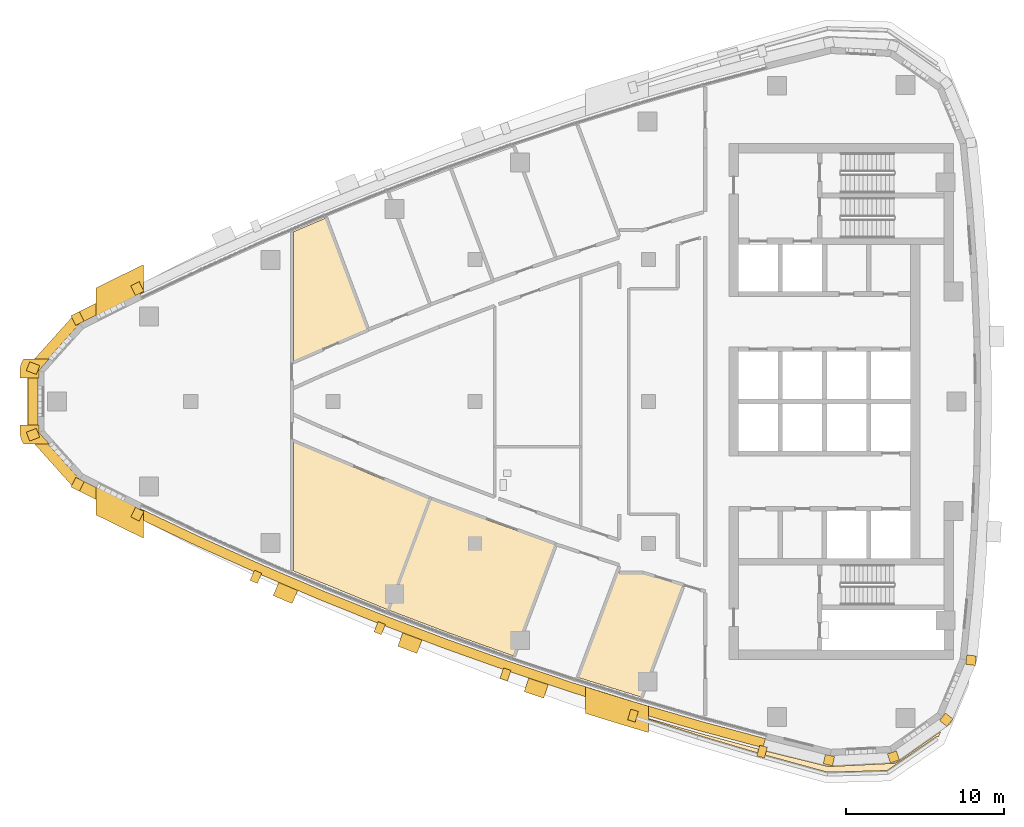
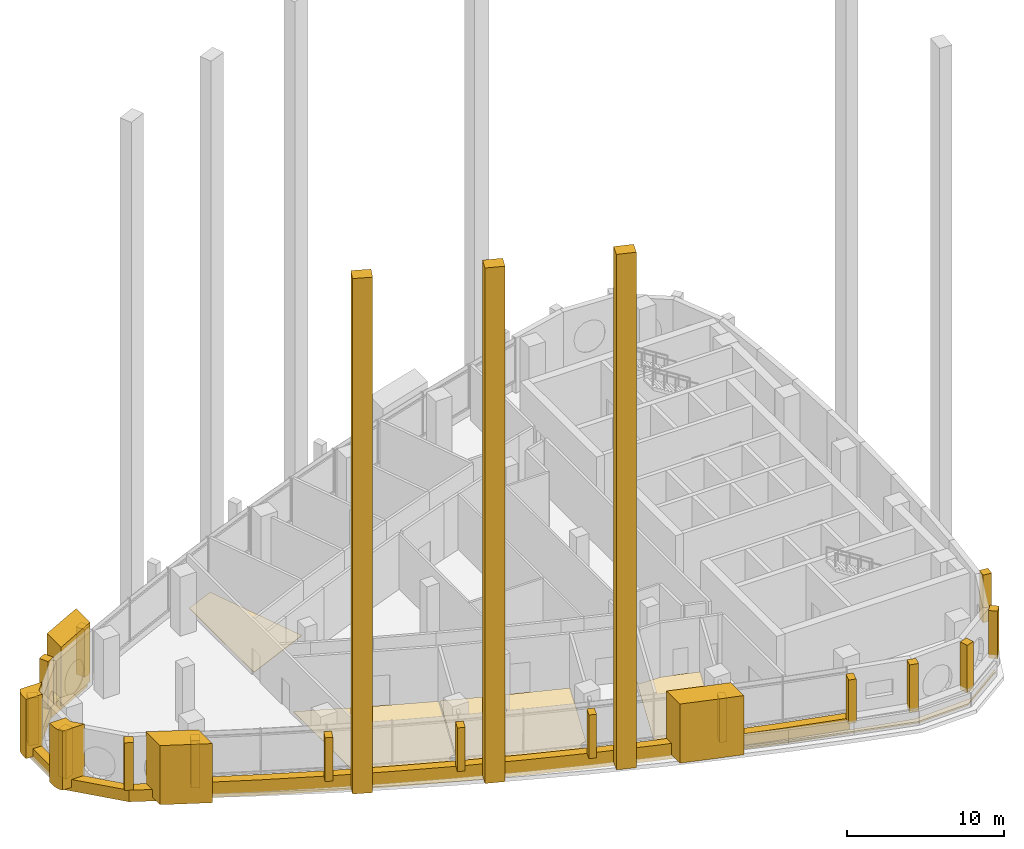
# One storey, part 11 of 15: 30 coverings.
"""IFC4 building model written with IfcOpenShell, lengths in metres."""

from ifc_helpers import new_model, si_unit, direction, frame, frame_2d, origin, place, context, subcontext, project, spatial, polyline, rectangle, outline, extrude, material, layer, layer_set, type_object, element, save


model = new_model("IFC4")

# Units and contexts
model_context = context("Model", 3, precision=1e-05, world=origin(), true_north=direction((0.0, 1.0)))
body_context = subcontext(model_context, "Body", "Model", "MODEL_VIEW")
ifc_project = project(units=[si_unit("LENGTHUNIT", "METRE"), si_unit("AREAUNIT", "SQUARE_METRE"), si_unit("VOLUMEUNIT", "CUBIC_METRE"), si_unit("PLANEANGLEUNIT", "RADIAN"), si_unit("MASSUNIT", "GRAM", prefix="KILO")], contexts=[model_context])

# Site, building, storey
site_placement = place(None, origin())
site = spatial("IfcSite", under=ifc_project, at=site_placement, CompositionType="ELEMENT")
building_placement = place(site_placement, origin())
building = spatial("IfcBuilding", under=site, at=building_placement, Name="Ostrand Prow Hotel Tower", CompositionType="ELEMENT")
storey_placement = place(building_placement, frame((0.0, 0.0, 216.199951171875)))
storey = spatial("IfcBuildingStorey", under=building, at=storey_placement, Name="L54", CompositionType="ELEMENT", Elevation=216.199951171875)

# Coverings
ifc_material_1 = material(Name="Bronze anodised aluminium cladding", Category="aluminium")
ifc_layer_1 = layer(ifc_material_1, 0.60009765625)
ifc_layer_set_1 = layer_set([ifc_layer_1], Name="Bronze anodised aluminium cladding")
covering_type_1 = type_object("IfcCoveringType", Name="Bronze prow band 899x600", PredefinedType="CLADDING", material=ifc_layer_set_1)
covering_1_placement = place(storey_placement, frame((0.0, 0.0, -0.300048828125)))
element("IfcCovering", 1, at=covering_1_placement, inside=storey, type_object=covering_type_1, Name="Bronze prow band", PredefinedType="CLADDING", context=body_context, shape_type="SweptSolid", body=[
    extrude(outline(polyline([(12.464111328125, 7.451904296875), (8.668212890625, 5.55517578125), (5.685302734375, 2.232666015625), (5.685302734375, -2.232666015625), (8.668212890625, -5.55517578125), (12.464111328125, -7.451904296875), (12.76171875, -6.840576171875), (8.97802734375, -4.949951171875), (6.3203125, -1.9892578125), (6.3203125, 1.9892578125), (8.97802734375, 4.949951171875), (12.76171875, 6.840576171875), (12.464111328125, 7.451904296875)])), origin(), (0.0, 0.0, 1.0), 0.900146484375),
])
ifc_material_2 = material(Name="Bronze anodised aluminium cladding", Category="aluminium")
ifc_layer_2 = layer(ifc_material_2, 0.60009765625)
ifc_layer_set_2 = layer_set([ifc_layer_2], Name="Bronze anodised aluminium cladding")
covering_type_2 = type_object("IfcCoveringType", Name="Bronze spandrel band 1200x600", PredefinedType="CLADDING", material=ifc_layer_set_2)
covering_2_placement = place(storey_placement, frame((0.0, 0.0, -0.300048828125)))
element("IfcCovering", 2, at=covering_2_placement, inside=storey, type_object=covering_type_2, Name="Spandrel band S1", PredefinedType="CLADDING", context=body_context, shape_type="SweptSolid", body=[
    extrude(outline(polyline([(12.526123046875, -7.324462890625), (16.35693359375, -9.14306640625), (20.2236328125, -10.88427734375), (24.12451171875, -12.547119140625), (28.058349609375, -14.131103515625), (32.02294921875, -15.635498046875), (36.017333984375, -17.059814453125), (40.039306640625, -18.403564453125), (44.087890625, -19.665771484375), (48.16064453125, -20.846435546875), (52.256591796875, -21.944580078125), (52.40625, -21.363525390625), (48.322021484375, -20.268310546875), (44.260498046875, -19.09130859375), (40.223876953125, -17.83251953125), (36.213134765625, -16.49267578125), (32.230224609375, -15.072509765625), (28.27685546875, -13.572265625), (24.354248046875, -11.992919921875), (20.464599609375, -10.334716796875), (16.60888671875, -8.598388671875), (12.788818359375, -6.784912109375), (12.526123046875, -7.324462890625)])), origin(), (0.0, 0.0, 1.0), 1.2001953125),
])
ifc_material_3 = material(Name="Limestone cladding", Category="masonry")
ifc_layer_3 = layer(ifc_material_3, 5.0)
ifc_layer_set_3 = layer_set([ifc_layer_3], Name="Limestone cladding")
covering_type_3 = type_object("IfcCoveringType", Name="Portal jamb pilaster limestone", PredefinedType="CLADDING", material=ifc_layer_set_3)
covering_3_placement = place(storey_placement, origin())
element("IfcCovering", 3, at=covering_3_placement, inside=storey, type_object=covering_type_3, Name="Portal jamb SA L54", PredefinedType="CLADDING", context=body_context, shape_type="SweptSolid", body=[
    extrude(outline(polyline([(10.0, -5.40087890625), (10.0, -7.19189453125), (11.0, -7.689453125), (12.0, -8.180419921875), (13.0, -8.664794921875), (13.0, -6.8876953125), (12.0, -6.398681640625), (11.0, -5.903076171875), (10.0, -5.40087890625)])), origin(), (0.0, 0.0, 1.0), 4.60009765625),
])
covering_4_placement = place(storey_placement, origin())
element("IfcCovering", 4, at=covering_4_placement, inside=storey, type_object=covering_type_3, Name="Portal jamb SB L54", PredefinedType="CLADDING", context=body_context, shape_type="SweptSolid", body=[
    extrude(outline(polyline([(41.0, -18.08154296875), (41.0, -19.760009765625), (42.0, -20.0732421875), (43.0, -20.381103515625), (44.0, -20.68359375), (45.0, -20.980712890625), (45.0, -19.312255859375), (44.0, -19.0126953125), (43.0, -18.707763671875), (42.0, -18.3974609375), (41.0, -18.08154296875)])), origin(), (0.0, 0.0, 1.0), 4.60009765625),
])
covering_5_placement = place(storey_placement, origin())
element("IfcCovering", 5, at=covering_5_placement, inside=storey, type_object=covering_type_3, Name="Portal jamb NA L54", PredefinedType="CLADDING", context=body_context, shape_type="SweptSolid", body=[
    extrude(outline(polyline([(10.0, 5.40087890625), (11.0, 5.903076171875), (12.0, 6.398681640625), (13.0, 6.8876953125), (13.0, 8.664794921875), (12.0, 8.180419921875), (11.0, 7.689453125), (10.0, 7.19189453125), (10.0, 5.40087890625)])), origin(), (0.0, 0.0, 1.0), 4.60009765625),
])
ifc_material_4 = material(Name="Limestone cladding", Category="masonry")
ifc_layer_4 = layer(ifc_material_4, 1.300048828125)
ifc_layer_set_4 = layer_set([ifc_layer_4], Name="Limestone cladding")
covering_type_4 = type_object("IfcCoveringType", Name="Precast stone fin 1300x1500", PredefinedType="CLADDING", material=ifc_layer_set_4)
covering_6_placement = place(storey_placement, frame((22.169921875, -11.7255859375, 0.0), z_axis=(0.0, 0.0, 1.0), x_axis=(-0.392248966739, -0.919859091433, 0.0)))
element("IfcCovering", 6, at=covering_6_placement, inside=storey, type_object=covering_type_4, Name="Stone fin S zone 5 3", PredefinedType="CLADDING", context=body_context, shape_type="SweptSolid", body=[
    extrude(rectangle(XDim=0.89990234375, YDim=1.300048828125, at=frame_2d((0.449951171875, 0.0))), origin(), (0.0, 0.0, 1.0), 40.10009765625),
])
for number, where, z_axis, x_axis, name in (
    (7, (30.036865234375, -14.893310546875, 0.0), (0.0, 0.0, 1.0), (-0.354776879431, -0.934950996481, 0.0), "Stone fin S zone 5 5"),
    (8, (38.02490234375, -17.74169921875, 0.0), (0.0, 0.0, 1.0), (-0.316797293195, -0.948493265671, 0.0), "Stone fin S zone 5 7"),
):
    element("IfcCovering", number, at=place(storey_placement, frame(where, z_axis=z_axis, x_axis=x_axis)), inside=storey, type_object=covering_type_4, Name=name, PredefinedType="CLADDING", context=body_context, shape_type="SweptSolid", body=[
        extrude(rectangle(XDim=0.900146484375, YDim=1.300048828125, at=frame_2d((0.4501953125, 0.0))), origin(), (0.0, 0.0, 1.0), 40.10009765625),
    ])
ifc_material_5 = material(Name="Limestone cladding", Category="masonry")
ifc_layer_5 = layer(ifc_material_5, 0.5)
ifc_layer_set_5 = layer_set([ifc_layer_5], Name="Limestone cladding")
covering_type_5 = type_object("IfcCoveringType", Name="Precast stone fin 500x600", PredefinedType="CLADDING", material=ifc_layer_set_5)
for number, where, z_axis, x_axis, name in (
    (9, (20.263916015625, -10.79248046875, 0.900146484375), (0.0, 0.0, 1.0), (-0.40144082023, -0.915884964312, 0.0), "Stone fin S 3"),
    (10, (28.0947265625, -14.0380859375, 0.900146484375), (0.0, 0.0, 1.0), (-0.364465099475, -0.931217048418, 0.0), "Stone fin S 5"),
    (11, (36.0498046875, -16.96533203125, 0.900146484375), (0.0, 0.0, 1.0), (-0.32646359768, -0.945209775335, 0.0), "Stone fin S 7"),
):
    element("IfcCovering", number, at=place(storey_placement, frame(where, z_axis=z_axis, x_axis=x_axis)), inside=storey, type_object=covering_type_5, Name=name, PredefinedType="CLADDING", context=body_context, shape_type="SweptSolid", body=[
        extrude(rectangle(XDim=0.699951171875, YDim=0.5, at=frame_2d((0.35009765625, 0.0))), origin(), (0.0, 0.0, 1.0), 3.39990234375),
    ])
covering_7_placement = place(storey_placement, frame((44.11669921875, -19.570068359375, 0.900146484375), z_axis=(0.0, 0.0, 1.0), x_axis=(-0.288371415505, -0.95751862996, 0.0)))
element("IfcCovering", 12, at=covering_7_placement, inside=storey, type_object=covering_type_5, Name="Stone fin S 9", PredefinedType="CLADDING", context=body_context, shape_type="SweptSolid", body=[
    extrude(rectangle(XDim=0.7001953125, YDim=0.5, at=frame_2d((0.35009765625, 0.0))), origin(), (0.0, 0.0, 1.0), 3.39990234375),
])
covering_8_placement = place(storey_placement, frame((52.281494140625, -21.847900390625, 0.900146484375), z_axis=(0.0, 0.0, 1.0), x_axis=(-0.249097137298, -0.968478505797, 0.0)))
element("IfcCovering", 13, at=covering_8_placement, inside=storey, type_object=covering_type_5, Name="Stone fin S 11", PredefinedType="CLADDING", context=body_context, shape_type="SweptSolid", body=[
    extrude(rectangle(XDim=0.69970703125, YDim=0.5, at=frame_2d((0.349853515625, 0.0))), origin(), (0.0, 0.0, 1.0), 3.39990234375),
])
ifc_material_6 = material(Name="Limestone cladding", Category="masonry")
ifc_layer_6 = layer(ifc_material_6, 0.60009765625)
ifc_layer_set_6 = layer_set([ifc_layer_6], Name="Limestone cladding")
covering_type_6 = type_object("IfcCoveringType", Name="Precast stone prow rib 600x600", PredefinedType="CLADDING", material=ifc_layer_set_6)
for number, where, z_axis, x_axis, name in (
    (14, (12.76171875, 6.840576171875, 0.60009765625), (0.0, 0.0, 1.0), (-0.437708972644, 0.899116708368, 0.0), "Stone prow rib 1"),
    (15, (8.97802734375, 4.949951171875, 0.60009765625), (0.0, 0.0, 1.0), (-0.455667721738, 0.890149946563, 0.0), "Stone prow rib 2"),
):
    element("IfcCovering", number, at=place(storey_placement, frame(where, z_axis=z_axis, x_axis=x_axis)), inside=storey, type_object=covering_type_6, Name=name, PredefinedType="CLADDING", context=body_context, shape_type="SweptSolid", body=[
        extrude(rectangle(XDim=0.679931640625, YDim=0.60009765625, at=frame_2d((0.33984375, 0.0))), origin(), (0.0, 0.0, 1.0), 3.699951171875),
    ])
for number, where, z_axis, x_axis, name in (
    (16, (6.3203125, 1.9892578125, 0.60009765625), (0.0, 0.0, 1.0), (-0.9337521164, 0.357920361419, 0.0), "Stone prow rib 3"),
    (17, (6.3203125, -1.9892578125, 0.60009765625), (0.0, 0.0, 1.0), (-0.9337521164, -0.357920361419, 0.0), "Stone prow rib 4"),
):
    element("IfcCovering", number, at=place(storey_placement, frame(where, z_axis=z_axis, x_axis=x_axis)), inside=storey, type_object=covering_type_6, Name=name, PredefinedType="CLADDING", context=body_context, shape_type="SweptSolid", body=[
        extrude(rectangle(XDim=0.68017578125, YDim=0.60009765625, at=frame_2d((0.340087890625, 0.0))), origin(), (0.0, 0.0, 1.0), 3.699951171875),
    ])
for number, where, z_axis, x_axis, name in (
    (18, (8.97802734375, -4.949951171875, 0.60009765625), (0.0, 0.0, 1.0), (-0.455667721738, -0.890149946563, 0.0), "Stone prow rib 5"),
    (19, (12.76171875, -6.840576171875, 0.60009765625), (0.0, 0.0, 1.0), (-0.437708972644, -0.899116708368, 0.0), "Stone prow rib 6"),
):
    element("IfcCovering", number, at=place(storey_placement, frame(where, z_axis=z_axis, x_axis=x_axis)), inside=storey, type_object=covering_type_6, Name=name, PredefinedType="CLADDING", context=body_context, shape_type="SweptSolid", body=[
        extrude(rectangle(XDim=0.679931640625, YDim=0.60009765625, at=frame_2d((0.33984375, 0.0))), origin(), (0.0, 0.0, 1.0), 3.699951171875),
    ])
for number, where, z_axis, x_axis, name in (
    (20, (56.49755859375, -22.436279296875, 0.60009765625), (0.0, 0.0, 1.0), (-0.229878322855, -0.973219377469, 0.0), "Stone corner rib 2a"),
    (21, (60.417236328125, -22.240966796875, 0.60009765625), (0.0, 0.0, 1.0), (0.325489086777, -0.945545797087, 0.0), "Stone corner rib 3a"),
    (22, (63.62744140625, -19.98291015625, 0.60009765625), (0.0, 0.0, 1.0), (0.779994736518, -0.625786074473, 0.0), "Stone corner rib 4a"),
    (23, (65.13623046875, -16.35986328125, 0.60009765625), (0.0, 0.0, 1.0), (0.993628058569, -0.112708833834, 0.0), "Stone corner rib 4b"),
):
    element("IfcCovering", number, at=place(storey_placement, frame(where, z_axis=z_axis, x_axis=x_axis)), inside=storey, type_object=covering_type_6, Name=name, PredefinedType="CLADDING", context=body_context, shape_type="SweptSolid", body=[
        extrude(rectangle(XDim=0.60009765625, YDim=0.60009765625, at=frame_2d((0.300048828125, 0.0))), origin(), (0.0, 0.0, 1.0), 3.699951171875),
    ])
ifc_material_7 = material(Name="Limestone cladding", Category="masonry")
ifc_layer_7 = layer(ifc_material_7, 3.0)
ifc_layer_set_7 = layer_set([ifc_layer_7], Name="Limestone cladding")
covering_type_7 = type_object("IfcCoveringType", Name="Prow nose pier limestone", PredefinedType="CLADDING", material=ifc_layer_set_7)
covering_9_placement = place(storey_placement, origin())
element("IfcCovering", 24, at=covering_9_placement, inside=storey, type_object=covering_type_7, Name="Prow spine fin N L54", PredefinedType="CLADDING", context=body_context, shape_type="SweptSolid", body=[
    extrude(outline(polyline([(5.177734375, 1.96728515625), (5.177734375, 1.5), (6.377685546875, 1.5), (6.377685546875, 1.96728515625), (7.03564453125, 2.699951171875), (5.42919921875, 2.699951171875), (5.406005859375, 2.67138671875), (5.337890625, 2.566162109375), (5.28125, 2.454345703125), (5.236328125, 2.33740234375), (5.203857421875, 2.21630859375), (5.184326171875, 2.09228515625), (5.177734375, 1.96728515625)])), origin(), (0.0, 0.0, 1.0), 4.60009765625),
])
covering_10_placement = place(storey_placement, origin())
element("IfcCovering", 25, at=covering_10_placement, inside=storey, type_object=covering_type_7, Name="Prow spine fin S L54", PredefinedType="CLADDING", context=body_context, shape_type="SweptSolid", body=[
    extrude(outline(polyline([(5.406005859375, -2.67138671875), (5.42919921875, -2.699951171875), (7.03564453125, -2.699951171875), (6.377685546875, -1.96728515625), (6.377685546875, -1.5), (5.177734375, -1.5), (5.177734375, -1.96728515625), (5.184326171875, -2.09228515625), (5.203857421875, -2.21630859375), (5.236328125, -2.33740234375), (5.28125, -2.454345703125), (5.337890625, -2.566162109375), (5.406005859375, -2.67138671875)])), origin(), (0.0, 0.0, 1.0), 4.60009765625),
])
ifc_material_8 = material(Name="Bituminous membrane, insulation and stone ballast", Category="masonry")
ifc_layer_8 = layer(ifc_material_8, 0.1201171875)
ifc_layer_set_8 = layer_set([ifc_layer_8], Name="Bituminous membrane, insulation and stone ballast")
covering_type_8 = type_object("IfcCoveringType", Name="Roof build-up membrane, insulation and stone ballast 120 mm", PredefinedType="ROOFING", material=ifc_layer_set_8)
covering_11_placement = place(storey_placement, origin())
element("IfcCovering", 26, at=covering_11_placement, inside=storey, type_object=covering_type_8, Name="Roof build-up Ledge roof slab L54.1 1", PredefinedType="ROOFING", context=body_context, shape_type="SweptSolid", body=[
    extrude(outline(polyline([(48.1201171875, -20.99169921875), (45.02001953125, -20.09326171875), (45.02001953125, -20.153564453125), (48.1318359375, -21.145751953125), (52.25390625, -22.369384765625), (56.34326171875, -23.493896484375), (60.117919921875, -23.3857421875), (63.215087890625, -21.254638671875), (63.227783203125, -21.246826171875), (63.240966796875, -21.240478515625), (63.254638671875, -21.2353515625), (63.268798828125, -21.2314453125), (63.283447265625, -21.22900390625), (63.298095703125, -21.228271484375), (63.31298828125, -21.228759765625), (63.327392578125, -21.230712890625), (63.341796875, -21.234130859375), (63.355712890625, -21.23876953125), (63.369140625, -21.2451171875), (63.375732421875, -21.248779296875), (63.5185546875, -20.905029296875), (60.651611328125, -22.921875), (56.43896484375, -23.1318359375), (56.37646484375, -23.116455078125), (56.34228515625, -23.1181640625), (56.34033203125, -23.1181640625), (56.33837890625, -23.117919921875), (56.33642578125, -23.11767578125), (52.216552734375, -22.101318359375), (52.214599609375, -22.100830078125), (52.212890625, -22.10009765625), (52.2109375, -22.09912109375), (52.20947265625, -22.097900390625), (52.2080078125, -22.0966796875), (52.20654296875, -22.09521484375), (52.205078125, -22.09375), (52.2041015625, -22.09228515625), (52.203125, -22.09033203125), (52.202392578125, -22.088623046875), (52.201904296875, -22.086669921875), (52.201904296875, -22.086181640625), (48.1201171875, -20.99169921875)])), origin(), (0.0, 0.0, 1.0), 0.1201171875),
])
ifc_material_9 = material(Name="Polished limestone", Category="masonry")
ifc_layer_9 = layer(ifc_material_9, 0.030029296875)
ifc_layer_set_9 = layer_set([ifc_layer_9], Name="Polished limestone")
covering_type_9 = type_object("IfcCoveringType", Name="Stone floor finish 30 mm", PredefinedType="FLOORING", material=ifc_layer_set_9)
covering_12_placement = place(storey_placement, origin())
element("IfcCovering", 27, at=covering_12_placement, inside=storey, type_object=covering_type_9, Name="Floor finish Bar", PredefinedType="FLOORING", context=body_context, shape_type="SweptSolid", body=[
    extrude(outline(polyline([(24.566650390625, 11.625), (22.5205078125, 10.754638671875), (22.5205078125, 2.513671875), (27.2216796875, 4.544677734375), (24.566650390625, 11.625)])), origin(), (0.0, 0.0, 1.0), 0.030029296875),
])
covering_13_placement = place(storey_placement, origin())
element("IfcCovering", 28, at=covering_13_placement, inside=storey, type_object=covering_type_9, Name="Floor finish Restaurant", PredefinedType="FLOORING", context=body_context, shape_type="SweptSolid", body=[
    extrude(outline(polyline([(22.5205078125, -2.513671875), (22.5205078125, -10.75439453125), (28.502685546875, -13.208251953125), (28.7412109375, -12.572265625), (28.71142578125, -12.55810546875), (28.677978515625, -12.5380859375), (28.646240234375, -12.5146484375), (28.6171875, -12.48828125), (28.5908203125, -12.459228515625), (28.5673828125, -12.427490234375), (28.54736328125, -12.39404296875), (28.530517578125, -12.3583984375), (28.517333984375, -12.321533203125), (28.5078125, -12.283447265625), (28.501953125, -12.24462890625), (28.5, -12.205322265625), (28.501953125, -12.166259765625), (28.5078125, -12.12744140625), (28.517333984375, -12.08935546875), (28.530517578125, -12.05224609375), (28.54736328125, -12.016845703125), (28.5673828125, -11.983154296875), (28.5908203125, -11.95166015625), (28.6171875, -11.922607421875), (28.646240234375, -11.896240234375), (28.677978515625, -11.872802734375), (28.71142578125, -11.8525390625), (28.7470703125, -11.835693359375), (28.783935546875, -11.822509765625), (28.822021484375, -11.81298828125), (28.86083984375, -11.807373046875), (28.900146484375, -11.805419921875), (28.939208984375, -11.807373046875), (28.97802734375, -11.81298828125), (29.01611328125, -11.822509765625), (29.021484375, -11.82470703125), (31.155517578125, -6.13427734375), (27.40771484375, -4.625), (22.5205078125, -2.513671875)])), origin(), (0.0, 0.0, 1.0), 0.030029296875),
])
covering_14_placement = place(storey_placement, origin())
element("IfcCovering", 29, at=covering_14_placement, inside=storey, type_object=covering_type_9, Name="Floor finish Restaurant", PredefinedType="FLOORING", context=body_context, shape_type="SweptSolid", body=[
    extrude(outline(polyline([(32.375244140625, -14.67822265625), (36.469482421875, -16.13525390625), (36.708251953125, -15.498291015625), (36.6787109375, -15.484375), (36.64501953125, -15.464111328125), (36.61328125, -15.44091796875), (36.58447265625, -15.414306640625), (36.55810546875, -15.385498046875), (36.53466796875, -15.353759765625), (36.514404296875, -15.3203125), (36.49755859375, -15.28466796875), (36.484375, -15.247802734375), (36.474853515625, -15.209716796875), (36.468994140625, -15.1708984375), (36.46728515625, -15.131591796875), (36.468994140625, -15.09228515625), (36.474853515625, -15.0537109375), (36.484375, -15.015380859375), (36.49755859375, -14.978515625), (36.514404296875, -14.943115234375), (36.53466796875, -14.909423828125), (36.55810546875, -14.877685546875), (36.58447265625, -14.848876953125), (36.61328125, -14.822509765625), (36.64501953125, -14.799072265625), (36.6787109375, -14.77880859375), (36.714111328125, -14.761962890625), (36.751220703125, -14.748779296875), (36.789306640625, -14.7392578125), (36.827880859375, -14.7333984375), (36.8671875, -14.731689453125), (36.906494140625, -14.7333984375), (36.9453125, -14.7392578125), (36.9833984375, -14.748779296875), (36.988525390625, -14.750732421875), (39.124267578125, -9.055908203125), (34.984619140625, -7.587890625), (31.197509765625, -6.150634765625), (29.063720703125, -11.8408203125), (29.088623046875, -11.8525390625), (29.122314453125, -11.872802734375), (29.15380859375, -11.896240234375), (29.182861328125, -11.922607421875), (29.209228515625, -11.95166015625), (29.232666015625, -11.983154296875), (29.2529296875, -12.016845703125), (29.269775390625, -12.05224609375), (29.282958984375, -12.08935546875), (29.29248046875, -12.12744140625), (29.298095703125, -12.166259765625), (29.300048828125, -12.205322265625), (29.298095703125, -12.24462890625), (29.29248046875, -12.283447265625), (29.282958984375, -12.321533203125), (29.269775390625, -12.3583984375), (29.2529296875, -12.39404296875), (29.232666015625, -12.427490234375), (29.209228515625, -12.459228515625), (29.182861328125, -12.48828125), (29.15380859375, -12.5146484375), (29.122314453125, -12.5380859375), (29.088623046875, -12.55810546875), (29.05322265625, -12.574951171875), (29.01611328125, -12.588134765625), (28.97802734375, -12.59765625), (28.939208984375, -12.603515625), (28.900146484375, -12.60546875), (28.86083984375, -12.603515625), (28.822021484375, -12.59765625), (28.783935546875, -12.588134765625), (28.783447265625, -12.587890625), (28.544677734375, -13.224853515625), (32.375244140625, -14.67822265625)]), holes=[polyline([(34.33251953125, -9.22216796875), (34.30908203125, -9.25390625), (34.28271484375, -9.28271484375), (34.25390625, -9.30908203125), (34.22216796875, -9.33251953125), (34.188720703125, -9.352783203125), (34.153076171875, -9.36962890625), (34.1162109375, -9.3828125), (34.077880859375, -9.392333984375), (34.039306640625, -9.398193359375), (34.0, -9.39990234375), (33.960693359375, -9.398193359375), (33.922119140625, -9.392333984375), (33.8837890625, -9.3828125), (33.846923828125, -9.36962890625), (33.811279296875, -9.352783203125), (33.77783203125, -9.33251953125), (33.74609375, -9.30908203125), (33.71728515625, -9.28271484375), (33.69091796875, -9.25390625), (33.66748046875, -9.22216796875), (33.647216796875, -9.188720703125), (33.63037109375, -9.153076171875), (33.6171875, -9.1162109375), (33.607666015625, -9.077880859375), (33.601806640625, -9.039306640625), (33.60009765625, -9.0), (33.601806640625, -8.960693359375), (33.607666015625, -8.922119140625), (33.6171875, -8.8837890625), (33.63037109375, -8.846923828125), (33.647216796875, -8.811279296875), (33.66748046875, -8.77783203125), (33.69091796875, -8.74609375), (33.71728515625, -8.71728515625), (33.74609375, -8.69091796875), (33.77783203125, -8.66748046875), (33.811279296875, -8.647216796875), (33.846923828125, -8.63037109375), (33.8837890625, -8.6171875), (33.922119140625, -8.607666015625), (33.960693359375, -8.601806640625), (34.0, -8.60009765625), (34.039306640625, -8.601806640625), (34.077880859375, -8.607666015625), (34.1162109375, -8.6171875), (34.153076171875, -8.63037109375), (34.188720703125, -8.647216796875), (34.22216796875, -8.66748046875), (34.25390625, -8.69091796875), (34.28271484375, -8.71728515625), (34.30908203125, -8.74609375), (34.33251953125, -8.77783203125), (34.352783203125, -8.811279296875), (34.36962890625, -8.846923828125), (34.3828125, -8.8837890625), (34.392333984375, -8.922119140625), (34.398193359375, -8.960693359375), (34.39990234375, -9.0), (34.398193359375, -9.039306640625), (34.392333984375, -9.077880859375), (34.3828125, -9.1162109375), (34.36962890625, -9.153076171875), (34.352783203125, -9.188720703125), (34.33251953125, -9.22216796875)])]), origin(), (0.0, 0.0, 1.0), 0.030029296875),
])
covering_15_placement = place(storey_placement, origin())
element("IfcCovering", 30, at=covering_15_placement, inside=storey, type_object=covering_type_9, Name="Floor finish Bar", PredefinedType="FLOORING", context=body_context, shape_type="SweptSolid", body=[
    extrude(outline(polyline([(45.068115234375, -17.35009765625), (47.21044921875, -11.637451171875), (44.701416015625, -10.875), (43.128662109375, -10.874755859375), (43.1259765625, -10.5712890625), (40.53662109375, -17.490234375), (44.548095703125, -18.737060546875), (44.787841796875, -18.097900390625), (44.75830078125, -18.083984375), (44.724609375, -18.063720703125), (44.693115234375, -18.040283203125), (44.6640625, -18.013916015625), (44.6376953125, -17.98486328125), (44.6142578125, -17.953369140625), (44.593994140625, -17.919677734375), (44.5771484375, -17.88427734375), (44.56396484375, -17.84716796875), (44.554443359375, -17.80908203125), (44.548583984375, -17.770263671875), (44.546875, -17.731201171875), (44.548583984375, -17.69189453125), (44.554443359375, -17.653076171875), (44.56396484375, -17.614990234375), (44.5771484375, -17.577880859375), (44.593994140625, -17.54248046875), (44.6142578125, -17.5087890625), (44.6376953125, -17.477294921875), (44.6640625, -17.4482421875), (44.693115234375, -17.421875), (44.724609375, -17.3984375), (44.75830078125, -17.37841796875), (44.793701171875, -17.361572265625), (44.830810546875, -17.348388671875), (44.868896484375, -17.3388671875), (44.90771484375, -17.3330078125), (44.94677734375, -17.3310546875), (44.986083984375, -17.3330078125), (45.02490234375, -17.3388671875), (45.06298828125, -17.348388671875), (45.068115234375, -17.35009765625)])), origin(), (0.0, 0.0, 1.0), 0.030029296875),
])

save(model, "model.ifc")
